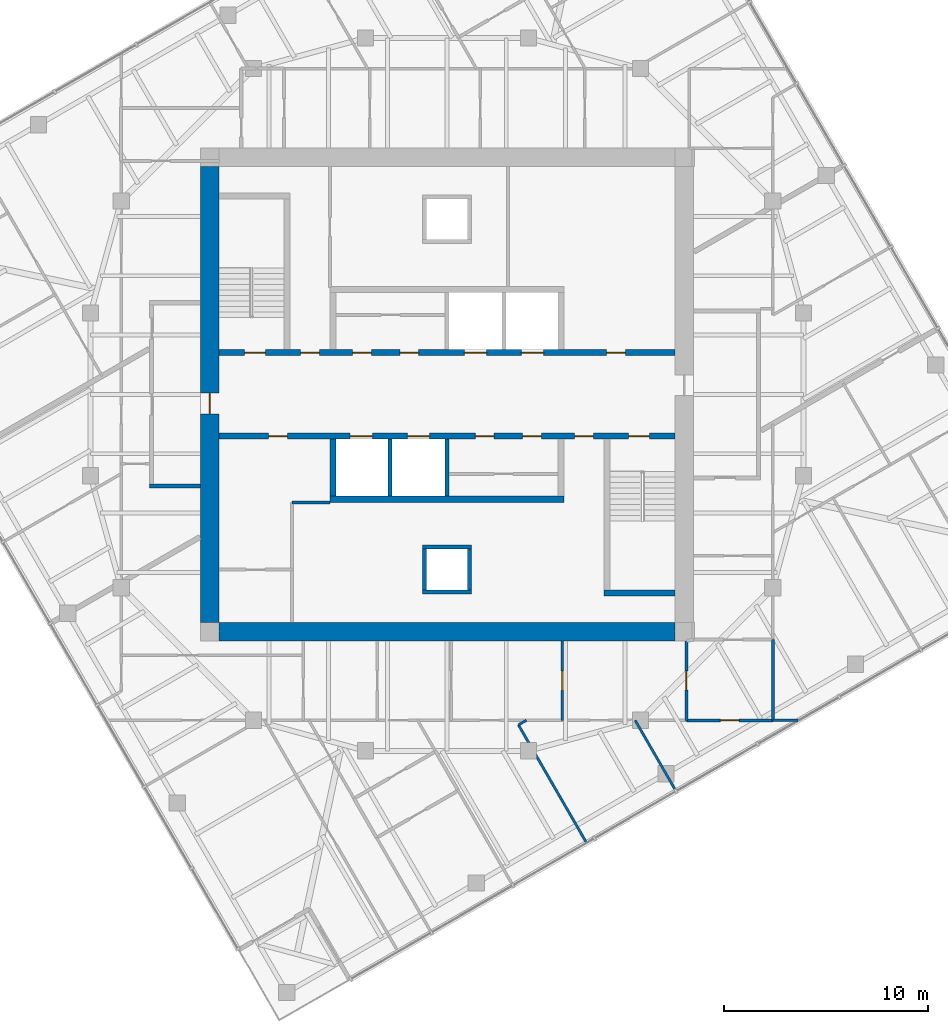
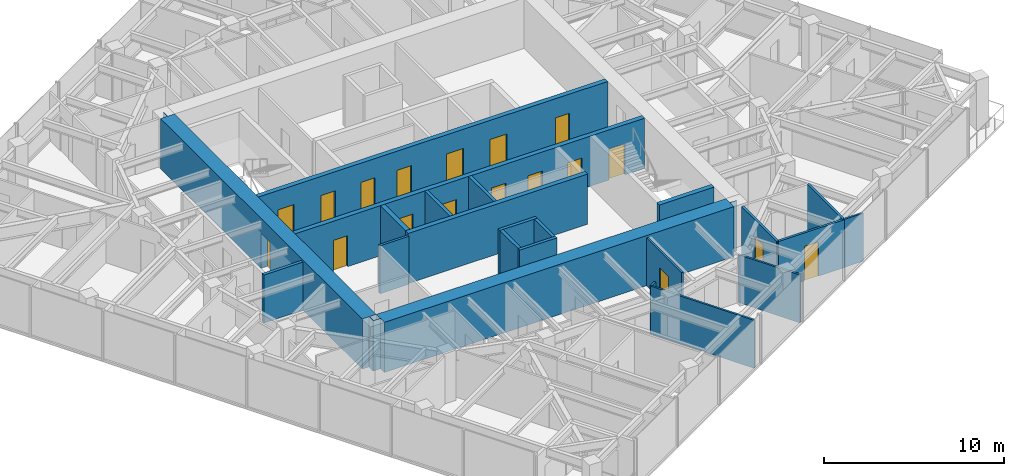
# One storey, part 8 of 12: 23 walls, 18 doors, 18 openings.
"""IFC4 building model written with IfcOpenShell, lengths in metres."""

from ifc_helpers import new_model, si_unit, direction, frame, frame_2d, origin, place, context, subcontext, project, spatial, polyline, rectangle, outline, extrude, material, layer, layer_set, type_object, element, fill, save


model = new_model("IFC4")

# Units and contexts
model_context = context("Model", 3, precision=1e-05, world=origin(), true_north=direction((0.0, 1.0)))
body_context = subcontext(model_context, "Body", "Model", "MODEL_VIEW")
ifc_project = project(units=[si_unit("LENGTHUNIT", "METRE"), si_unit("AREAUNIT", "SQUARE_METRE"), si_unit("VOLUMEUNIT", "CUBIC_METRE"), si_unit("PLANEANGLEUNIT", "RADIAN"), si_unit("MASSUNIT", "GRAM", prefix="KILO")], contexts=[model_context])

# Site, building, storey
site_placement = place(None, origin())
site = spatial("IfcSite", under=ifc_project, at=site_placement, CompositionType="ELEMENT")
building_placement = place(site_placement, origin())
building = spatial("IfcBuilding", under=site, at=building_placement, Name="Torsade Residences", CompositionType="ELEMENT")
storey_placement = place(building_placement, frame((0.0, 0.0, 218.39990234375)))
storey = spatial("IfcBuildingStorey", under=building, at=storey_placement, Name="L60", CompositionType="ELEMENT", Elevation=218.39990234375)

# Wall, openings, doors
ifc_material_1 = material(Name="Concrete 80 MPa", Category="concrete")
ifc_layer_1 = layer(ifc_material_1, 0.300048828125)
ifc_layer_set_1 = layer_set([ifc_layer_1], Name="Concrete 80 MPa")
wall_type_1 = type_object("IfcWallType", Name="CORE INTERNAL WALL 300", PredefinedType="SHEAR", material=ifc_layer_set_1)
wall_1_placement = place(storey_placement, frame((28.800048828125, 32.050048828125, 0.0), z_axis=(0.0, 0.0, 1.0), x_axis=(1.0, 0.0, 0.0)))
wall_1 = element("IfcWall", 1, at=wall_1_placement, inside=storey, type_object=wall_type_1, Name="Core wall LN L60", PredefinedType="SHEAR", context=body_context, shape_type="SweptSolid", body=[
    extrude(rectangle(XDim=22.39990234375, YDim=0.300048828125, at=frame_2d((11.199951171875, 0.0))), origin(), (0.0, 0.0, 1.0), 3.400146484375),
])
opening_1_placement = place(wall_1_placement, frame((19.0400390625, 0.0, 0.0)))
opening_1 = element("IfcOpeningElement", 2, at=opening_1_placement, cuts=wall_1, Name="Opening D06", PredefinedType="OPENING", context=body_context, shape_type="SweptSolid", body=[
    extrude(rectangle(XDim=0.919921875, YDim=2.10009765625, at=frame_2d((0.4599609375, 1.050048828125))), frame((0.0, 0.159912109375, 0.0), z_axis=(0.0, -1.0, 0.0), x_axis=(1.0, 0.0, 0.0)), (0.0, 0.0, 1.0), 0.320068359375),
])
opening_2_placement = place(wall_1_placement, frame((1.264892578125, 0.0, 0.0)))
opening_2 = element("IfcOpeningElement", 3, at=opening_2_placement, cuts=wall_1, Name="Opening D03", PredefinedType="OPENING", context=body_context, shape_type="SweptSolid", body=[
    extrude(rectangle(XDim=1.02001953125, YDim=2.10009765625, at=frame_2d((0.510009765625, 1.050048828125))), frame((0.0, 0.159912109375, 0.0), z_axis=(0.0, -1.0, 0.0), x_axis=(1.0, 0.0, 0.0)), (0.0, 0.0, 1.0), 0.320068359375),
])
opening_3_placement = place(wall_1_placement, frame((4.014892578125, 0.0, 0.0)))
opening_3 = element("IfcOpeningElement", 4, at=opening_3_placement, cuts=wall_1, Name="Opening D06", PredefinedType="OPENING", context=body_context, shape_type="SweptSolid", body=[
    extrude(rectangle(XDim=0.919921875, YDim=2.10009765625, at=frame_2d((0.4599609375, 1.050048828125))), frame((0.0, 0.159912109375, 0.0), z_axis=(0.0, -1.0, 0.0), x_axis=(1.0, 0.0, 0.0)), (0.0, 0.0, 1.0), 0.320068359375),
])
opening_4_placement = place(wall_1_placement, frame((6.56494140625, 0.0, 0.0)))
opening_4 = element("IfcOpeningElement", 5, at=opening_4_placement, cuts=wall_1, Name="Opening D06", PredefinedType="OPENING", context=body_context, shape_type="SweptSolid", body=[
    extrude(rectangle(XDim=0.919921875, YDim=2.10009765625, at=frame_2d((0.4599609375, 1.050048828125))), frame((0.0, 0.159912109375, 0.0), z_axis=(0.0, -1.0, 0.0), x_axis=(1.0, 0.0, 0.0)), (0.0, 0.0, 1.0), 0.320068359375),
])
opening_5_placement = place(wall_1_placement, frame((8.889892578125, 0.0, 0.0)))
opening_5 = element("IfcOpeningElement", 6, at=opening_5_placement, cuts=wall_1, Name="Opening D06", PredefinedType="OPENING", context=body_context, shape_type="SweptSolid", body=[
    extrude(rectangle(XDim=0.919921875, YDim=2.10009765625, at=frame_2d((0.4599609375, 1.050048828125))), frame((0.0, 0.159912109375, 0.0), z_axis=(0.0, -1.0, 0.0), x_axis=(1.0, 0.0, 0.0)), (0.0, 0.0, 1.0), 0.320068359375),
])
opening_6_placement = place(wall_1_placement, frame((12.050048828125, 0.0, 0.0)))
opening_6 = element("IfcOpeningElement", 7, at=opening_6_placement, cuts=wall_1, Name="Opening LD", PredefinedType="OPENING", context=body_context, shape_type="SweptSolid", body=[
    extrude(rectangle(XDim=1.10009765625, YDim=2.10009765625, at=frame_2d((0.550048828125, 1.050048828125))), frame((0.0, 0.159912109375, 0.0), z_axis=(0.0, -1.0, 0.0), x_axis=(1.0, 0.0, 0.0)), (0.0, 0.0, 1.0), 0.320068359375),
])
opening_7_placement = place(wall_1_placement, frame((14.85009765625, 0.0, 0.0)))
opening_7 = element("IfcOpeningElement", 8, at=opening_7_placement, cuts=wall_1, Name="Opening LD", PredefinedType="OPENING", context=body_context, shape_type="SweptSolid", body=[
    extrude(rectangle(XDim=1.10009765625, YDim=2.10009765625, at=frame_2d((0.550048828125, 1.050048828125))), frame((0.0, 0.159912109375, 0.0), z_axis=(0.0, -1.0, 0.0), x_axis=(1.0, 0.0, 0.0)), (0.0, 0.0, 1.0), 0.320068359375),
])
ifc_material_2 = material(Name="Steel-framed fire door", Category="steel")
door_type_1 = type_object("IfcDoorType", Name="FIRE DOOR 1020", OperationType="NOTDEFINED", PredefinedType="DOOR", material=ifc_material_2)
door_1_placement = place(opening_2_placement, origin())
door_1 = element("IfcDoor", 9, at=door_1_placement, inside=storey, type_object=door_type_1, Name="Exit door to fire-isolated stair ST1 L60", OperationType="SINGLE_SWING_RIGHT", OverallHeight=2.10009765625, OverallWidth=1.02001953125, PredefinedType="DOOR", context=body_context, shape_type="SweptSolid", body=[
    extrude(rectangle(XDim=1.02001953125, YDim=2.10009765625, at=frame_2d((0.510009765625, 1.050048828125))), frame((0.0, 0.02490234375, 0.0), z_axis=(0.0, -1.0, 0.0), x_axis=(1.0, 0.0, 0.0)), (0.0, 0.0, 1.0), 0.050048828125),
])
fill(opening_2, door_1)
ifc_material_3 = material(Name="Steel-framed fire door", Category="steel")
door_type_2 = type_object("IfcDoorType", Name="FIRE DOOR 920", OperationType="NOTDEFINED", PredefinedType="DOOR", material=ifc_material_3)
door_2_placement = place(opening_1_placement, origin())
door_2 = element("IfcDoor", 10, at=door_2_placement, inside=storey, type_object=door_type_2, Name="Door Lift lobby to Refuse room", OperationType="SINGLE_SWING_LEFT", OverallHeight=2.10009765625, OverallWidth=0.919921875, PredefinedType="DOOR", context=body_context, shape_type="SweptSolid", body=[
    extrude(rectangle(XDim=0.919921875, YDim=2.10009765625, at=frame_2d((0.4599609375, 1.050048828125))), frame((0.0, 0.02490234375, 0.0), z_axis=(0.0, -1.0, 0.0), x_axis=(1.0, 0.0, 0.0)), (0.0, 0.0, 1.0), 0.050048828125),
])
fill(opening_1, door_2)
door_3_placement = place(opening_3_placement, origin())
door_3 = element("IfcDoor", 11, at=door_3_placement, inside=storey, type_object=door_type_2, Name="Door Lift lobby to Meter store", OperationType="SINGLE_SWING_LEFT", OverallHeight=2.10009765625, OverallWidth=0.919921875, PredefinedType="DOOR", context=body_context, shape_type="SweptSolid", body=[
    extrude(rectangle(XDim=0.919921875, YDim=2.10009765625, at=frame_2d((0.4599609375, 1.050048828125))), frame((0.0, 0.02490234375, 0.0), z_axis=(0.0, -1.0, 0.0), x_axis=(1.0, 0.0, 0.0)), (0.0, 0.0, 1.0), 0.050048828125),
])
fill(opening_3, door_3)
door_4_placement = place(opening_4_placement, origin())
door_4 = element("IfcDoor", 12, at=door_4_placement, inside=storey, type_object=door_type_2, Name="Door Lift lobby to Linen store L60A", OperationType="SINGLE_SWING_RIGHT", OverallHeight=2.10009765625, OverallWidth=0.919921875, PredefinedType="DOOR", context=body_context, shape_type="SweptSolid", body=[
    extrude(rectangle(XDim=0.919921875, YDim=2.10009765625, at=frame_2d((0.4599609375, 1.050048828125))), frame((0.0, 0.02490234375, 0.0), z_axis=(0.0, -1.0, 0.0), x_axis=(1.0, 0.0, 0.0)), (0.0, 0.0, 1.0), 0.050048828125),
])
fill(opening_4, door_4)
door_5_placement = place(opening_5_placement, origin())
door_5 = element("IfcDoor", 13, at=door_5_placement, inside=storey, type_object=door_type_2, Name="Door Lift lobby to Linen store L60A", OperationType="SINGLE_SWING_LEFT", OverallHeight=2.10009765625, OverallWidth=0.919921875, PredefinedType="DOOR", context=body_context, shape_type="SweptSolid", body=[
    extrude(rectangle(XDim=0.919921875, YDim=2.10009765625, at=frame_2d((0.4599609375, 1.050048828125))), frame((0.0, 0.02490234375, 0.0), z_axis=(0.0, -1.0, 0.0), x_axis=(1.0, 0.0, 0.0)), (0.0, 0.0, 1.0), 0.050048828125),
])
fill(opening_5, door_5)
ifc_material_4 = material(Name="Stainless steel lift landing door", Category="steel")
door_type_3 = type_object("IfcDoorType", Name="LIFT LANDING DOOR 1100", OperationType="SLIDING_TO_LEFT", PredefinedType="DOOR", material=ifc_material_4)
door_6_placement = place(opening_6_placement, origin())
door_6 = element("IfcDoor", 14, at=door_6_placement, inside=storey, type_object=door_type_3, Name="Lift LA3 landing door L60", OperationType="SLIDING_TO_LEFT", OverallHeight=2.10009765625, OverallWidth=1.10009765625, PredefinedType="DOOR", context=body_context, shape_type="SweptSolid", body=[
    extrude(rectangle(XDim=1.10009765625, YDim=2.10009765625, at=frame_2d((0.550048828125, 1.050048828125))), frame((0.0, 0.02490234375, 0.0), z_axis=(0.0, -1.0, 0.0), x_axis=(1.0, 0.0, 0.0)), (0.0, 0.0, 1.0), 0.050048828125),
])
fill(opening_6, door_6)
door_7_placement = place(opening_7_placement, origin())
door_7 = element("IfcDoor", 15, at=door_7_placement, inside=storey, type_object=door_type_3, Name="Lift FL1 landing door L60", OperationType="SLIDING_TO_LEFT", OverallHeight=2.10009765625, OverallWidth=1.10009765625, PredefinedType="DOOR", context=body_context, shape_type="SweptSolid", body=[
    extrude(rectangle(XDim=1.10009765625, YDim=2.10009765625, at=frame_2d((0.550048828125, 1.050048828125))), frame((0.0, 0.02490234375, 0.0), z_axis=(0.0, -1.0, 0.0), x_axis=(1.0, 0.0, 0.0)), (0.0, 0.0, 1.0), 0.050048828125),
])
fill(opening_7, door_7)

wall_2_placement = place(storey_placement, frame((51.199951171875, 27.949951171875, 0.0), z_axis=(0.0, 0.0, 1.0), x_axis=(-1.0, 0.0, 0.0)))
wall_2 = element("IfcWall", 16, at=wall_2_placement, inside=storey, type_object=wall_type_1, Name="Core wall LS L60", PredefinedType="SHEAR", context=body_context, shape_type="SweptSolid", body=[
    extrude(rectangle(XDim=22.39990234375, YDim=0.300048828125, at=frame_2d((11.199951171875, 0.0))), origin(), (0.0, 0.0, 1.0), 3.400146484375),
])
opening_8_placement = place(wall_2_placement, frame((19.0400390625, 0.0, 0.0)))
opening_8 = element("IfcOpeningElement", 17, at=opening_8_placement, cuts=wall_2, Name="Opening D06", PredefinedType="OPENING", context=body_context, shape_type="SweptSolid", body=[
    extrude(rectangle(XDim=0.919921875, YDim=2.10009765625, at=frame_2d((0.4599609375, 1.050048828125))), frame((0.0, 0.159912109375, 0.0), z_axis=(0.0, -1.0, 0.0), x_axis=(1.0, 0.0, 0.0)), (0.0, 0.0, 1.0), 0.320068359375),
])
opening_9_placement = place(wall_2_placement, frame((1.264892578125, 0.0, 0.0)))
opening_9 = element("IfcOpeningElement", 18, at=opening_9_placement, cuts=wall_2, Name="Opening D03", PredefinedType="OPENING", context=body_context, shape_type="SweptSolid", body=[
    extrude(rectangle(XDim=1.02001953125, YDim=2.10009765625, at=frame_2d((0.510009765625, 1.050048828125))), frame((0.0, 0.159912109375, 0.0), z_axis=(0.0, -1.0, 0.0), x_axis=(1.0, 0.0, 0.0)), (0.0, 0.0, 1.0), 0.320068359375),
])
opening_10_placement = place(wall_2_placement, frame((4.014892578125, 0.0, 0.0)))
opening_10 = element("IfcOpeningElement", 19, at=opening_10_placement, cuts=wall_2, Name="Opening D06", PredefinedType="OPENING", context=body_context, shape_type="SweptSolid", body=[
    extrude(rectangle(XDim=0.919921875, YDim=2.10009765625, at=frame_2d((0.4599609375, 1.050048828125))), frame((0.0, 0.159912109375, 0.0), z_axis=(0.0, -1.0, 0.0), x_axis=(1.0, 0.0, 0.0)), (0.0, 0.0, 1.0), 0.320068359375),
])
opening_11_placement = place(wall_2_placement, frame((8.889892578125, 0.0, 0.0)))
opening_11 = element("IfcOpeningElement", 20, at=opening_11_placement, cuts=wall_2, Name="Opening D06", PredefinedType="OPENING", context=body_context, shape_type="SweptSolid", body=[
    extrude(rectangle(XDim=0.919921875, YDim=2.10009765625, at=frame_2d((0.4599609375, 1.050048828125))), frame((0.0, 0.159912109375, 0.0), z_axis=(0.0, -1.0, 0.0), x_axis=(1.0, 0.0, 0.0)), (0.0, 0.0, 1.0), 0.320068359375),
])
opening_12_placement = place(wall_2_placement, frame((6.56494140625, 0.0, 0.0)))
opening_12 = element("IfcOpeningElement", 21, at=opening_12_placement, cuts=wall_2, Name="Opening D06", PredefinedType="OPENING", context=body_context, shape_type="SweptSolid", body=[
    extrude(rectangle(XDim=0.919921875, YDim=2.10009765625, at=frame_2d((0.4599609375, 1.050048828125))), frame((0.0, 0.159912109375, 0.0), z_axis=(0.0, -1.0, 0.0), x_axis=(1.0, 0.0, 0.0)), (0.0, 0.0, 1.0), 0.320068359375),
])
opening_13_placement = place(wall_2_placement, frame((12.050048828125, 0.0, 0.0)))
opening_13 = element("IfcOpeningElement", 22, at=opening_13_placement, cuts=wall_2, Name="Opening LD", PredefinedType="OPENING", context=body_context, shape_type="SweptSolid", body=[
    extrude(rectangle(XDim=1.10009765625, YDim=2.10009765625, at=frame_2d((0.550048828125, 1.050048828125))), frame((0.0, 0.159912109375, 0.0), z_axis=(0.0, -1.0, 0.0), x_axis=(1.0, 0.0, 0.0)), (0.0, 0.0, 1.0), 0.320068359375),
])
opening_14_placement = place(wall_2_placement, frame((14.85009765625, 0.0, 0.0)))
opening_14 = element("IfcOpeningElement", 23, at=opening_14_placement, cuts=wall_2, Name="Opening LD", PredefinedType="OPENING", context=body_context, shape_type="SweptSolid", body=[
    extrude(rectangle(XDim=1.10009765625, YDim=2.10009765625, at=frame_2d((0.550048828125, 1.050048828125))), frame((0.0, 0.159912109375, 0.0), z_axis=(0.0, -1.0, 0.0), x_axis=(1.0, 0.0, 0.0)), (0.0, 0.0, 1.0), 0.320068359375),
])
door_8_placement = place(opening_9_placement, origin())
door_8 = element("IfcDoor", 24, at=door_8_placement, inside=storey, type_object=door_type_1, Name="Exit door to fire-isolated stair ST2 L60", OperationType="SINGLE_SWING_RIGHT", OverallHeight=2.10009765625, OverallWidth=1.02001953125, PredefinedType="DOOR", context=body_context, shape_type="SweptSolid", body=[
    extrude(rectangle(XDim=1.02001953125, YDim=2.10009765625, at=frame_2d((0.510009765625, 1.050048828125))), frame((0.0, 0.02490234375, 0.0), z_axis=(0.0, -1.0, 0.0), x_axis=(1.0, 0.0, 0.0)), (0.0, 0.0, 1.0), 0.050048828125),
])
fill(opening_9, door_8)
door_9_placement = place(opening_8_placement, origin())
door_9 = element("IfcDoor", 25, at=door_9_placement, inside=storey, type_object=door_type_2, Name="Door Lift lobby to Cleaner store", OperationType="SINGLE_SWING_LEFT", OverallHeight=2.10009765625, OverallWidth=0.919921875, PredefinedType="DOOR", context=body_context, shape_type="SweptSolid", body=[
    extrude(rectangle(XDim=0.919921875, YDim=2.10009765625, at=frame_2d((0.4599609375, 1.050048828125))), frame((0.0, 0.02490234375, 0.0), z_axis=(0.0, -1.0, 0.0), x_axis=(1.0, 0.0, 0.0)), (0.0, 0.0, 1.0), 0.050048828125),
])
fill(opening_8, door_9)
door_10_placement = place(opening_10_placement, origin())
door_10 = element("IfcDoor", 26, at=door_10_placement, inside=storey, type_object=door_type_2, Name="Door Lift lobby to Communications riser room", OperationType="SINGLE_SWING_RIGHT", OverallHeight=2.10009765625, OverallWidth=0.919921875, PredefinedType="DOOR", context=body_context, shape_type="SweptSolid", body=[
    extrude(rectangle(XDim=0.919921875, YDim=2.10009765625, at=frame_2d((0.4599609375, 1.050048828125))), frame((0.0, 0.02490234375, 0.0), z_axis=(0.0, -1.0, 0.0), x_axis=(1.0, 0.0, 0.0)), (0.0, 0.0, 1.0), 0.050048828125),
])
fill(opening_10, door_10)
door_11_placement = place(opening_11_placement, origin())
door_11 = element("IfcDoor", 27, at=door_11_placement, inside=storey, type_object=door_type_2, Name="Door Lift lobby to Cleaners store L60C", OperationType="SINGLE_SWING_LEFT", OverallHeight=2.10009765625, OverallWidth=0.919921875, PredefinedType="DOOR", context=body_context, shape_type="SweptSolid", body=[
    extrude(rectangle(XDim=0.919921875, YDim=2.10009765625, at=frame_2d((0.4599609375, 1.050048828125))), frame((0.0, 0.02490234375, 0.0), z_axis=(0.0, -1.0, 0.0), x_axis=(1.0, 0.0, 0.0)), (0.0, 0.0, 1.0), 0.050048828125),
])
fill(opening_11, door_11)
door_12_placement = place(opening_12_placement, origin())
door_12 = element("IfcDoor", 28, at=door_12_placement, inside=storey, type_object=door_type_2, Name="Door Lift lobby to Cleaners store L60C", OperationType="SINGLE_SWING_RIGHT", OverallHeight=2.10009765625, OverallWidth=0.919921875, PredefinedType="DOOR", context=body_context, shape_type="SweptSolid", body=[
    extrude(rectangle(XDim=0.919921875, YDim=2.10009765625, at=frame_2d((0.4599609375, 1.050048828125))), frame((0.0, 0.02490234375, 0.0), z_axis=(0.0, -1.0, 0.0), x_axis=(1.0, 0.0, 0.0)), (0.0, 0.0, 1.0), 0.050048828125),
])
fill(opening_12, door_12)
door_13_placement = place(opening_13_placement, origin())
door_13 = element("IfcDoor", 29, at=door_13_placement, inside=storey, type_object=door_type_3, Name="Lift LB3 landing door L60", OperationType="SLIDING_TO_LEFT", OverallHeight=2.10009765625, OverallWidth=1.10009765625, PredefinedType="DOOR", context=body_context, shape_type="SweptSolid", body=[
    extrude(rectangle(XDim=1.10009765625, YDim=2.10009765625, at=frame_2d((0.550048828125, 1.050048828125))), frame((0.0, 0.02490234375, 0.0), z_axis=(0.0, -1.0, 0.0), x_axis=(1.0, 0.0, 0.0)), (0.0, 0.0, 1.0), 0.050048828125),
])
fill(opening_13, door_13)
door_14_placement = place(opening_14_placement, origin())
door_14 = element("IfcDoor", 30, at=door_14_placement, inside=storey, type_object=door_type_3, Name="Lift FL2 landing door L60", OperationType="SLIDING_TO_LEFT", OverallHeight=2.10009765625, OverallWidth=1.10009765625, PredefinedType="DOOR", context=body_context, shape_type="SweptSolid", body=[
    extrude(rectangle(XDim=1.10009765625, YDim=2.10009765625, at=frame_2d((0.550048828125, 1.050048828125))), frame((0.0, 0.02490234375, 0.0), z_axis=(0.0, -1.0, 0.0), x_axis=(1.0, 0.0, 0.0)), (0.0, 0.0, 1.0), 0.050048828125),
])
fill(opening_14, door_14)

# Walls
wall_3_placement = place(storey_placement, frame((45.75, 24.85009765625, 0.0), z_axis=(0.0, 0.0, 1.0), x_axis=(-1.0, 0.0, 0.0)))
element("IfcWall", 31, at=wall_3_placement, inside=storey, type_object=wall_type_1, Name="Core wall BS L60", PredefinedType="SHEAR", context=body_context, shape_type="SweptSolid", body=[
    extrude(rectangle(XDim=11.5, YDim=0.300048828125, at=frame_2d((5.75, 0.0))), origin(), (0.0, 0.0, 1.0), 3.400146484375),
])
wall_4_placement = place(storey_placement, frame((34.39990234375, 27.800048828125, 0.0), z_axis=(0.0, 0.0, 1.0), x_axis=(0.0, -1.0, 0.0)))
element("IfcWall", 32, at=wall_4_placement, inside=storey, type_object=wall_type_1, Name="Core wall DS4 L60", PredefinedType="SHEAR", context=body_context, shape_type="SweptSolid", body=[
    extrude(rectangle(XDim=2.800048828125, YDim=0.300048828125, at=frame_2d((1.39990234375, 0.0))), origin(), (0.0, 0.0, 1.0), 3.400146484375),
])
wall_5_placement = place(storey_placement, frame((51.199951171875, 20.25, 0.0), z_axis=(0.0, 0.0, 1.0), x_axis=(-1.0, 0.0, 0.0)))
element("IfcWall", 33, at=wall_5_placement, inside=storey, type_object=wall_type_1, Name="Core wall ST2S L60", PredefinedType="SHEAR", context=body_context, shape_type="SweptSolid", body=[
    extrude(rectangle(XDim=3.5, YDim=0.300048828125, at=frame_2d((1.75, 0.0))), origin(), (0.0, 0.0, 1.0), 3.400146484375),
])
ifc_material_5 = material(Name="Concrete 80 MPa", Category="concrete")
ifc_layer_2 = layer(ifc_material_5, 0.89990234375)
ifc_layer_set_2 = layer_set([ifc_layer_2], Name="Concrete 80 MPa")
wall_type_2 = type_object("IfcWallType", Name="CORE WALL 900", PredefinedType="SHEAR", material=ifc_layer_set_2)
wall_6_placement = place(storey_placement, frame((51.199951171875, 18.35009765625, 0.0), z_axis=(0.0, 0.0, 1.0), x_axis=(-1.0, 0.0, 0.0)))
element("IfcWall", 34, at=wall_6_placement, inside=storey, type_object=wall_type_2, Name="Core wall S L60", PredefinedType="SHEAR", context=body_context, shape_type="SweptSolid", body=[
    extrude(outline(polyline([(0.0, -0.449951171875), (22.39990234375, -0.449951171875), (22.39990234375, -0.02490234375), (22.849853515625, -0.02490234375), (22.849853515625, 0.02490234375), (22.39990234375, 0.02490234375), (22.39990234375, 0.449951171875), (0.0, 0.449951171875), (0.0, 0.02490234375), (-0.449951171875, 0.02490234375), (-0.449951171875, -0.02490234375), (0.0, -0.02490234375), (0.0, -0.449951171875)])), origin(), (0.0, 0.0, 1.0), 3.400146484375),
])

# Wall, opening, door
wall_7_placement = place(storey_placement, frame((28.35009765625, 41.199951171875, 0.0), z_axis=(0.0, 0.0, 1.0), x_axis=(0.0, -1.0, 0.0)))
wall_7 = element("IfcWall", 35, at=wall_7_placement, inside=storey, type_object=wall_type_2, Name="Core wall W L60", PredefinedType="SHEAR", context=body_context, shape_type="SweptSolid", body=[
    extrude(outline(polyline([(0.0, -0.449951171875), (22.39990234375, -0.449951171875), (22.39990234375, -0.02490234375), (22.849853515625, -0.02490234375), (22.849853515625, 0.02490234375), (22.39990234375, 0.02490234375), (22.39990234375, 0.449951171875), (0.0, 0.449951171875), (0.0, 0.02490234375), (-0.449951171875, 0.02490234375), (-0.449951171875, -0.02490234375), (0.0, -0.02490234375), (0.0, -0.449951171875)])), origin(), (0.0, 0.0, 1.0), 3.400146484375),
])
opening_15_placement = place(wall_7_placement, frame((11.139892578125, 0.0, 0.0)))
opening_15 = element("IfcOpeningElement", 36, at=opening_15_placement, cuts=wall_7, Name="Opening D04", PredefinedType="OPENING", context=body_context, shape_type="SweptSolid", body=[
    extrude(rectangle(XDim=1.02001953125, YDim=2.39990234375, at=frame_2d((0.510009765625, 1.199951171875))), frame((0.0, 0.4599609375, 0.0), z_axis=(0.0, -1.0, 0.0), x_axis=(1.0, 0.0, 0.0)), (0.0, 0.0, 1.0), 0.919921875),
])
ifc_material_6 = material(Name="Steel-framed fire door", Category="steel")
door_type_4 = type_object("IfcDoorType", Name="LOBBY SMOKE DOOR 1020x2400", OperationType="NOTDEFINED", PredefinedType="DOOR", material=ifc_material_6)
door_15_placement = place(opening_15_placement, origin())
door_15 = element("IfcDoor", 37, at=door_15_placement, inside=storey, type_object=door_type_4, Name="Lift lobby door W L60", OperationType="SINGLE_SWING_RIGHT", OverallHeight=2.39990234375, OverallWidth=1.02001953125, PredefinedType="DOOR", context=body_context, shape_type="SweptSolid", body=[
    extrude(rectangle(XDim=1.02001953125, YDim=2.39990234375, at=frame_2d((0.510009765625, 1.199951171875))), frame((0.0, 0.02490234375, 0.0), z_axis=(0.0, -1.0, 0.0), x_axis=(1.0, 0.0, 0.0)), (0.0, 0.0, 1.0), 0.050048828125),
])
fill(opening_15, door_15)

# Walls
ifc_material_7 = material(Name="Plasterboard on steel stud", Category="steel")
ifc_layer_3 = layer(ifc_material_7, 0.199951171875)
ifc_layer_set_3 = layer_set([ifc_layer_3], Name="Plasterboard on steel stud")
wall_type_3 = type_object("IfcWallType", Name="CORRIDOR WALL 200", PredefinedType="PARTITIONING", material=ifc_layer_set_3)
wall_8_placement = place(storey_placement, frame((27.89990234375, 25.5, 0.0), z_axis=(0.0, 0.0, 1.0), x_axis=(-1.0, 0.0, 0.0)))
element("IfcWall", 38, at=wall_8_placement, inside=storey, type_object=wall_type_3, Name="Corridor wall L60", PredefinedType="PARTITIONING", context=body_context, shape_type="SweptSolid", body=[
    extrude(rectangle(XDim=2.5, YDim=0.199951171875, at=frame_2d((1.25, 0.0))), origin(), (0.0, 0.0, 1.0), 3.25),
])
ifc_material_8 = material(Name="Reinforced blockwork", Category="masonry")
ifc_layer_4 = layer(ifc_material_8, 0.199951171875)
ifc_layer_set_4 = layer_set([ifc_layer_4], Name="Reinforced blockwork")
wall_type_4 = type_object("IfcWallType", Name="LIFT SHAFT DIVIDING WALL 200", PredefinedType="SOLIDWALL", material=ifc_layer_set_4)
for number, where, z_axis, x_axis, name in (
    (39, (40.0, 27.800048828125, 0.0), (0.0, 0.0, 1.0), (0.0, -1.0, 0.0), "Core wall DS2 L60"),
    (40, (37.199951171875, 27.800048828125, 0.0), (0.0, 0.0, 1.0), (0.0, -1.0, 0.0), "Core wall DS3 L60"),
):
    element("IfcWall", number, at=place(storey_placement, frame(where, z_axis=z_axis, x_axis=x_axis)), inside=storey, type_object=wall_type_4, Name=name, PredefinedType="SOLIDWALL", context=body_context, shape_type="SweptSolid", body=[
        extrude(rectangle(XDim=2.800048828125, YDim=0.199951171875, at=frame_2d((1.39990234375, 0.0))), origin(), (0.0, 0.0, 1.0), 3.400146484375),
    ])

# Wall, opening, door
ifc_material_9 = material(Name="Plasterboard on steel stud", Category="steel")
ifc_layer_5 = layer(ifc_material_9, 0.1201171875)
ifc_layer_set_5 = layer_set([ifc_layer_5], Name="Plasterboard on steel stud")
wall_type_5 = type_object("IfcWallType", Name="PARTITION 120", PredefinedType="PARTITIONING", material=ifc_layer_set_5)
wall_9_placement = place(storey_placement, frame((45.6591796875, 17.89990234375, 0.0), z_axis=(0.0, 0.0, 1.0), x_axis=(0.0, -1.0, 0.0)))
wall_9 = element("IfcWall", 41, at=wall_9_placement, inside=storey, type_object=wall_type_5, Name="Partition L60", PredefinedType="PARTITIONING", context=body_context, shape_type="SweptSolid", body=[
    extrude(rectangle(XDim=3.89990234375, YDim=0.1201171875, at=frame_2d((1.949951171875, 0.0))), origin(), (0.0, 0.0, 1.0), 3.25),
])
opening_16_placement = place(wall_9_placement, frame((1.469970703125, 0.0, 0.0)))
opening_16 = element("IfcOpeningElement", 42, at=opening_16_placement, cuts=wall_9, Name="Opening D05", PredefinedType="OPENING", context=body_context, shape_type="SweptSolid", body=[
    extrude(rectangle(XDim=0.9599609375, YDim=2.10009765625, at=frame_2d((0.47998046875, 1.050048828125))), frame((0.0, 0.070068359375, 0.0), z_axis=(0.0, -1.0, 0.0), x_axis=(1.0, 0.0, 0.0)), (0.0, 0.0, 1.0), 0.14013671875),
])
ifc_material_10 = material(Name="Hollow-core timber door in a steel cavity frame", Category="steel")
door_type_5 = type_object("IfcDoorType", Name="BATHROOM CAVITY SLIDING DOOR 960", OperationType="SLIDING_TO_LEFT", PredefinedType="DOOR", material=ifc_material_10)
door_16_placement = place(opening_16_placement, origin())
door_16 = element("IfcDoor", 43, at=door_16_placement, inside=storey, type_object=door_type_5, Name="Door Walk-in robe to Laundry", OperationType="SLIDING_TO_LEFT", OverallHeight=2.10009765625, OverallWidth=0.9599609375, PredefinedType="DOOR", context=body_context, shape_type="SweptSolid", body=[
    extrude(rectangle(XDim=0.9599609375, YDim=2.10009765625, at=frame_2d((0.47998046875, 1.050048828125))), frame((0.0, 0.02490234375, 0.0), z_axis=(0.0, -1.0, 0.0), x_axis=(1.0, 0.0, 0.0)), (0.0, 0.0, 1.0), 0.050048828125),
])
fill(opening_16, door_16)

# Walls
wall_10_placement = place(storey_placement, frame((57.224609375, 14.010009765625, 0.0), z_axis=(0.0, 0.0, 1.0), x_axis=(-1.0, 0.0, 0.0)))
element("IfcWall", 44, at=wall_10_placement, inside=storey, type_object=wall_type_5, Name="Partition L60", PredefinedType="PARTITIONING", context=body_context, shape_type="SweptSolid", body=[
    extrude(rectangle(XDim=1.224609375, YDim=0.1201171875, at=frame_2d((0.6123046875, 0.0))), origin(), (0.0, 0.0, 1.0), 3.25),
])
wall_11_placement = place(storey_placement, frame((43.89697265625, 14.0, 0.0), z_axis=(0.0, 0.0, 1.0), x_axis=(-0.865896406789, -0.500223362819, 0.0)))
element("IfcWall", 45, at=wall_11_placement, inside=storey, type_object=wall_type_5, Name="Partition L60", PredefinedType="PARTITIONING", context=body_context, shape_type="SweptSolid", body=[
    extrude(rectangle(XDim=0.449951171875, YDim=0.1201171875, at=frame_2d((0.22509765625, 0.0))), origin(), (0.0, 0.0, 1.0), 3.25),
])
wall_12_placement = place(storey_placement, frame((43.50732421875, 13.77490234375, 0.0), z_axis=(0.0, 0.0, 1.0), x_axis=(0.500013541994, -0.866017585169, 0.0)))
element("IfcWall", 46, at=wall_12_placement, inside=storey, type_object=wall_type_5, Name="Partition L60", PredefinedType="PARTITIONING", context=body_context, shape_type="SweptSolid", body=[
    extrude(rectangle(XDim=6.655029296875, YDim=0.1201171875, at=frame_2d((3.32763671875, 0.0))), origin(), (0.0, 0.0, 1.0), 3.25),
])
wall_13_placement = place(storey_placement, frame((51.22998046875, 10.549072265625, 0.0), z_axis=(0.0, 0.0, 1.0), x_axis=(-0.500007073895, 0.866021319631, 0.0)))
element("IfcWall", 47, at=wall_13_placement, inside=storey, type_object=wall_type_5, Name="Partition L60", PredefinedType="PARTITIONING", context=body_context, shape_type="SweptSolid", body=[
    extrude(rectangle(XDim=3.98486328125, YDim=0.1201171875, at=frame_2d((1.992431640625, 0.0))), origin(), (0.0, 0.0, 1.0), 3.25),
])
ifc_material_11 = material(Name="Reinforced blockwork", Category="masonry")
ifc_layer_6 = layer(ifc_material_11, 0.199951171875)
ifc_layer_set_6 = layer_set([ifc_layer_6], Name="Reinforced blockwork")
wall_type_6 = type_object("IfcWallType", Name="RISER SHAFT WALL 200", PredefinedType="SOLIDWALL", material=ifc_layer_set_6)
for number, where, z_axis, x_axis, name in (
    (48, (38.89990234375, 22.39990234375, 0.0), (0.0, 0.0, 1.0), (0.0, -1.0, 0.0), "Core wall RS2a L60"),
    (49, (41.10009765625, 22.39990234375, 0.0), (0.0, 0.0, 1.0), (0.0, -1.0, 0.0), "Core wall RS2b L60"),
):
    element("IfcWall", number, at=place(storey_placement, frame(where, z_axis=z_axis, x_axis=x_axis)), inside=storey, type_object=wall_type_6, Name=name, PredefinedType="SOLIDWALL", context=body_context, shape_type="SweptSolid", body=[
        extrude(rectangle(XDim=2.0, YDim=0.199951171875, at=frame_2d((1.0, 0.0))), origin(), (0.0, 0.0, 1.0), 3.400146484375),
    ])
for number, where, z_axis, x_axis, name in (
    (50, (38.800048828125, 22.5, 0.0), (0.0, 0.0, 1.0), (1.0, 0.0, 0.0), "Core wall RS2c L60"),
    (51, (38.800048828125, 20.300048828125, 0.0), (0.0, 0.0, 1.0), (1.0, 0.0, 0.0), "Core wall RS2d L60"),
):
    element("IfcWall", number, at=place(storey_placement, frame(where, z_axis=z_axis, x_axis=x_axis)), inside=storey, type_object=wall_type_6, Name=name, PredefinedType="SOLIDWALL", context=body_context, shape_type="SweptSolid", body=[
        extrude(rectangle(XDim=2.39990234375, YDim=0.199951171875, at=frame_2d((1.199951171875, 0.0))), origin(), (0.0, 0.0, 1.0), 3.400146484375),
    ])
ifc_material_12 = material(Name="Reinforced blockwork", Category="masonry")
ifc_layer_7 = layer(ifc_material_12, 0.14990234375)
ifc_layer_set_7 = layer_set([ifc_layer_7], Name="Reinforced blockwork")
wall_type_7 = type_object("IfcWallType", Name="SERVICE ROOM WALL 150", PredefinedType="SOLIDWALL", material=ifc_layer_set_7)
wall_14_placement = place(storey_placement, frame((32.39990234375, 24.699951171875, 0.0), z_axis=(0.0, 0.0, 1.0), x_axis=(1.0, 0.0, 0.0)))
element("IfcWall", 52, at=wall_14_placement, inside=storey, type_object=wall_type_7, Name="Service room wall L60", PredefinedType="SOLIDWALL", context=body_context, shape_type="SweptSolid", body=[
    extrude(rectangle(XDim=1.85009765625, YDim=0.14990234375, at=frame_2d((0.925048828125, 0.0))), origin(), (0.0, 0.0, 1.0), 3.25),
])

# Wall, opening, door
wall_15_placement = place(storey_placement, frame((51.757080078125, 14.0, 0.0), z_axis=(0.0, 0.0, 1.0), x_axis=(0.0, 1.0, 0.0)))
wall_15 = element("IfcWall", 53, at=wall_15_placement, inside=storey, type_object=wall_type_7, Name="Service room wall L60", PredefinedType="SOLIDWALL", context=body_context, shape_type="SweptSolid", body=[
    extrude(rectangle(XDim=3.89990234375, YDim=0.14990234375, at=frame_2d((1.949951171875, 0.0))), origin(), (0.0, 0.0, 1.0), 3.25),
])
opening_17_placement = place(wall_15_placement, frame((1.489990234375, 0.0, 0.0)))
opening_17 = element("IfcOpeningElement", 54, at=opening_17_placement, cuts=wall_15, Name="Opening D02L", PredefinedType="OPENING", context=body_context, shape_type="SweptSolid", body=[
    extrude(rectangle(XDim=0.919921875, YDim=2.10009765625, at=frame_2d((0.4599609375, 1.050048828125))), frame((0.0, 0.0849609375, 0.0), z_axis=(0.0, -1.0, 0.0), x_axis=(1.0, 0.0, 0.0)), (0.0, 0.0, 1.0), 0.169921875),
])
ifc_material_13 = material(Name="Hollow-core timber door", Category="wood")
door_type_6 = type_object("IfcDoorType", Name="INTERNAL DOOR 920x2100", OperationType="NOTDEFINED", PredefinedType="DOOR", material=ifc_material_13)
door_17_placement = place(opening_17_placement, origin())
door_17 = element("IfcDoor", 55, at=door_17_placement, inside=storey, type_object=door_type_6, Name="Door Linen store to Walk-in robe", OperationType="SINGLE_SWING_LEFT", OverallHeight=2.10009765625, OverallWidth=0.919921875, PredefinedType="DOOR", context=body_context, shape_type="SweptSolid", body=[
    extrude(rectangle(XDim=0.919921875, YDim=2.10009765625, at=frame_2d((0.4599609375, 1.050048828125))), frame((0.0, 0.02490234375, 0.0), z_axis=(0.0, -1.0, 0.0), x_axis=(1.0, 0.0, 0.0)), (0.0, 0.0, 1.0), 0.050048828125),
])
fill(opening_17, door_17)

# Wall
wall_16_placement = place(storey_placement, frame((56.0, 17.9560546875, 0.0), z_axis=(0.0, 0.0, 1.0), x_axis=(0.0, -1.0, 0.0)))
element("IfcWall", 56, at=wall_16_placement, inside=storey, type_object=wall_type_7, Name="Service room wall L60", PredefinedType="SOLIDWALL", context=body_context, shape_type="SweptSolid", body=[
    extrude(rectangle(XDim=3.9560546875, YDim=0.14990234375, at=frame_2d((1.97802734375, 0.0))), origin(), (0.0, 0.0, 1.0), 3.25),
])

# Wall, opening, door
wall_17_placement = place(storey_placement, frame((56.0, 14.0, 0.0), z_axis=(0.0, 0.0, 1.0), x_axis=(-1.0, 0.0, 0.0)))
wall_17 = element("IfcWall", 57, at=wall_17_placement, inside=storey, type_object=wall_type_7, Name="Service room wall L60", PredefinedType="SOLIDWALL", context=body_context, shape_type="SweptSolid", body=[
    extrude(rectangle(XDim=4.242919921875, YDim=0.14990234375, at=frame_2d((2.12158203125, 0.0))), origin(), (0.0, 0.0, 1.0), 3.25),
])
opening_18_placement = place(wall_17_placement, frame((1.661376953125, 0.0, 0.0)))
opening_18 = element("IfcOpeningElement", 58, at=opening_18_placement, cuts=wall_17, Name="Opening D02", PredefinedType="OPENING", context=body_context, shape_type="SweptSolid", body=[
    extrude(rectangle(XDim=0.919921875, YDim=2.340087890625, at=frame_2d((0.4599609375, 1.169921875))), frame((0.0, 0.0849609375, 0.0), z_axis=(0.0, -1.0, 0.0), x_axis=(1.0, 0.0, 0.0)), (0.0, 0.0, 1.0), 0.169921875),
])
ifc_material_14 = material(Name="Hollow-core timber door", Category="wood")
door_type_7 = type_object("IfcDoorType", Name="INTERNAL DOOR 920x2340", OperationType="NOTDEFINED", PredefinedType="DOOR", material=ifc_material_14)
door_18_placement = place(opening_18_placement, origin())
door_18 = element("IfcDoor", 59, at=door_18_placement, inside=storey, type_object=door_type_7, Name="Door Linen store to Bedroom 4", OperationType="SINGLE_SWING_RIGHT", OverallHeight=2.340087890625, OverallWidth=0.919921875, PredefinedType="DOOR", context=body_context, shape_type="SweptSolid", body=[
    extrude(rectangle(XDim=0.919921875, YDim=2.340087890625, at=frame_2d((0.4599609375, 1.169921875))), frame((0.0, 0.02490234375, 0.0), z_axis=(0.0, -1.0, 0.0), x_axis=(1.0, 0.0, 0.0)), (0.0, 0.0, 1.0), 0.050048828125),
])
fill(opening_18, door_18)

save(model, "model.ifc")
